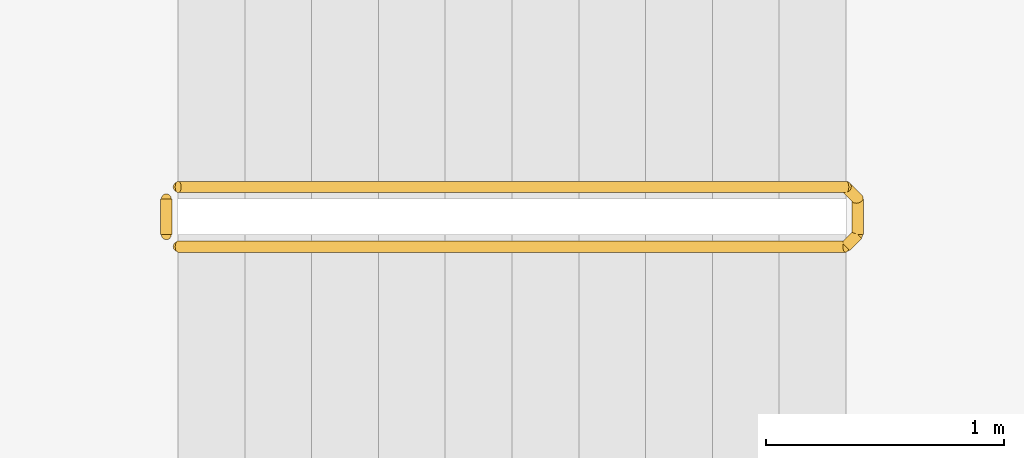
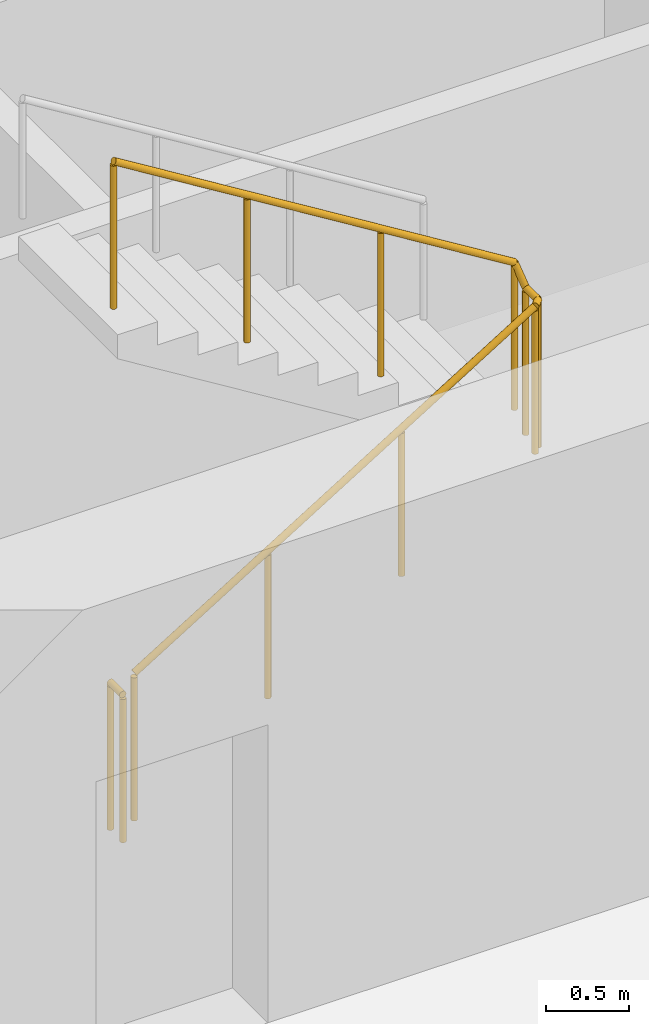
# One storey, part 10 of 14: 2 railings.
"""IFC4 building model written with IfcOpenShell, lengths in metres."""

from ifc_helpers import new_model, si_unit, direction, frame, origin, origin_2d, place, context, subcontext, project, spatial, circle, extrude, material, type_object, element, save


model = new_model("IFC4")

# Units and contexts
model_context = context("Model", 3, precision=1e-05, world=origin(), true_north=direction((0.0, 1.0)))
body_context = subcontext(model_context, "Body", "Model", "MODEL_VIEW")
ifc_project = project(units=[si_unit("LENGTHUNIT", "METRE"), si_unit("AREAUNIT", "SQUARE_METRE"), si_unit("VOLUMEUNIT", "CUBIC_METRE"), si_unit("PLANEANGLEUNIT", "RADIAN"), si_unit("MASSUNIT", "GRAM", prefix="KILO")], contexts=[model_context])

# Site, building, storey
site_placement = place(None, origin())
site = spatial("IfcSite", under=ifc_project, at=site_placement, CompositionType="ELEMENT")
building_placement = place(site_placement, origin())
building = spatial("IfcBuilding", under=site, at=building_placement, Name="Orbiselva Terraces", CompositionType="ELEMENT")
storey_placement = place(building_placement, frame((0.0, 0.0, 15.0)))
storey = spatial("IfcBuildingStorey", under=building, at=storey_placement, Name="L03", CompositionType="ELEMENT", Elevation=15.0)

# Railings
ifc_material = material(Name="Stainless steel", Category="steel")
railing_type = type_object("IfcRailingType", Name="CORE-GUARD-1100", PredefinedType="GUARDRAIL", material=ifc_material)
railing_1_placement = place(storey_placement, frame((-7.15, 6.55, 0.172727)))
element("IfcRailing", 1, at=railing_1_placement, inside=storey, type_object=railing_type, Name="L03 S3 stair guard 1", PredefinedType="GUARDRAIL", context=body_context, shape_type="SweptSolid", body=[
    extrude(circle(Radius=0.024, at=origin_2d()), frame((0.0, 0.0, 1.081), z_axis=(0.851088519012, 0.0, 0.52502222125), x_axis=(0.0, 1.0, 0.0)), (0.0, 0.0, 1.0), 3.289905),
    extrude(circle(Radius=0.024, at=origin_2d()), frame((2.8, 0.0, 2.808273), z_axis=(0.707106781187, 0.707106781187, 0.0), x_axis=(-0.707106781187, 0.707106781187, 0.0)), (0.0, 0.0, 1.0), 0.070711),
    extrude(circle(Radius=0.024, at=origin_2d()), frame((2.85, 0.05, 2.808273), z_axis=(0.0, 1.0, 0.0), x_axis=(-1.0, 0.0, 0.0)), (0.0, 0.0, 1.0), 0.15),
    extrude(circle(Radius=0.024, at=origin_2d()), frame((2.85, 0.2, 2.808273), z_axis=(-0.267894925557, 0.267894925557, 0.925453736133), x_axis=(-0.707106781187, -0.707106781187, 0.0)), (0.0, 0.0, 1.0), 0.18664),
    extrude(circle(Radius=0.024, at=origin_2d()), frame((2.8, 0.25, 2.981), z_axis=(-0.851088519012, 0.0, 0.52502222125), x_axis=(0.0, -1.0, 0.0)), (0.0, 0.0, 1.0), 3.289905),
    extrude(circle(Radius=0.021, at=origin_2d()), origin(), (0.0, 0.0, 1.0), 1.057),
    extrude(circle(Radius=0.021, at=origin_2d()), frame((0.933333, 0.0, 0.575758)), (0.0, 0.0, 1.0), 1.057),
    extrude(circle(Radius=0.021, at=origin_2d()), frame((1.866667, 0.0, 1.151515)), (0.0, 0.0, 1.0), 1.057),
    extrude(circle(Radius=0.021, at=origin_2d()), frame((2.8, 0.0, 1.727273)), (0.0, 0.0, 1.0), 1.057),
    extrude(circle(Radius=0.021, at=origin_2d()), frame((2.85, 0.05, 1.727273)), (0.0, 0.0, 1.0), 1.057),
    extrude(circle(Radius=0.021, at=origin_2d()), frame((2.85, 0.2, 1.727273)), (0.0, 0.0, 1.0), 1.057),
    extrude(circle(Radius=0.021, at=origin_2d()), frame((2.8, 0.25, 1.9)), (0.0, 0.0, 1.0), 1.057),
    extrude(circle(Radius=0.021, at=origin_2d()), frame((1.866667, 0.25, 2.475758)), (0.0, 0.0, 1.0), 1.057),
    extrude(circle(Radius=0.021, at=origin_2d()), frame((0.933333, 0.25, 3.051515)), (0.0, 0.0, 1.0), 1.057),
    extrude(circle(Radius=0.021, at=origin_2d()), frame((0.0, 0.25, 3.627273)), (0.0, 0.0, 1.0), 1.057),
])
railing_2_placement = place(storey_placement, frame((-7.2, 6.6, 0.0)))
element("IfcRailing", 2, at=railing_2_placement, inside=storey, type_object=railing_type, Name="L03 S3 stair guard 2", PredefinedType="GUARDRAIL", context=body_context, shape_type="SweptSolid", body=[
    extrude(circle(Radius=0.024, at=origin_2d()), frame((0.0, 0.0, 1.081), z_axis=(0.0, 1.0, 0.0), x_axis=(-1.0, 0.0, 0.0)), (0.0, 0.0, 1.0), 0.15),
    extrude(circle(Radius=0.021, at=origin_2d()), origin(), (0.0, 0.0, 1.0), 1.057),
    extrude(circle(Radius=0.021, at=origin_2d()), frame((0.0, 0.15, 0.0)), (0.0, 0.0, 1.0), 1.057),
])

save(model, "model.ifc")
